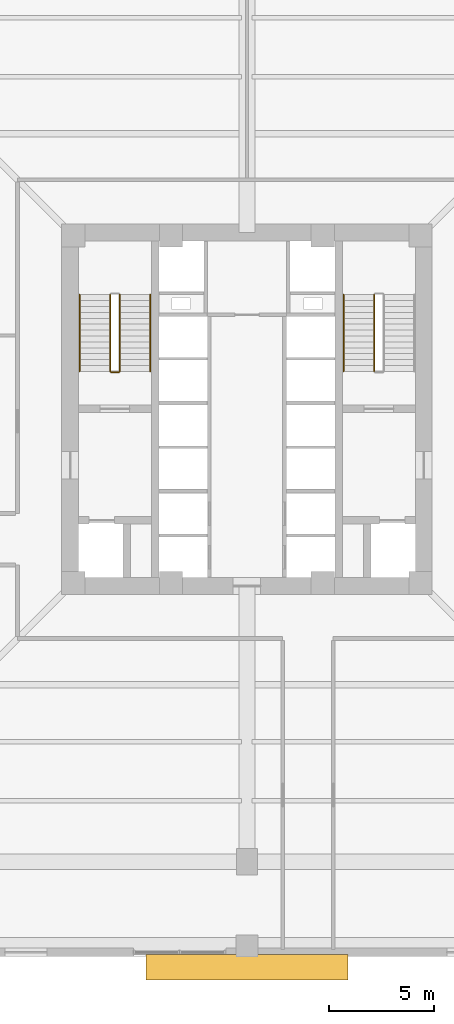
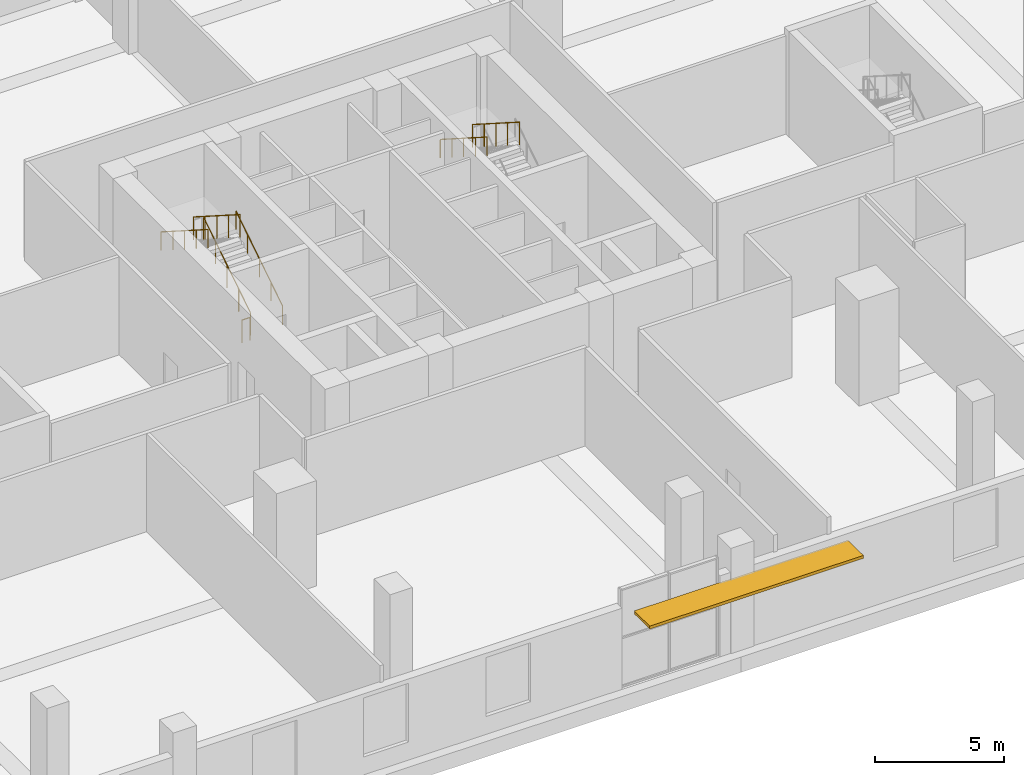
# One storey, part 13 of 17: 7 railings, 1 shading device.
"""IFC4 building model written with IfcOpenShell, lengths in metres."""

from ifc_helpers import new_model, si_unit, direction, frame, origin, origin_2d, place, context, subcontext, project, spatial, rectangle, circle, extrude, source, transform, mapped, material, layer, layer_set, type_object, element, save


model = new_model("IFC4")

# Units and contexts
model_context = context("Model", 3, precision=1e-05, world=origin(), true_north=direction((0.0, 1.0)))
body_context = subcontext(model_context, "Body", "Model", "MODEL_VIEW")
ifc_project = project(units=[si_unit("LENGTHUNIT", "METRE"), si_unit("AREAUNIT", "SQUARE_METRE"), si_unit("VOLUMEUNIT", "CUBIC_METRE"), si_unit("PLANEANGLEUNIT", "RADIAN"), si_unit("MASSUNIT", "GRAM", prefix="KILO"), si_unit("THERMODYNAMICTEMPERATUREUNIT", "KELVIN")], contexts=[model_context])

# Site, building, storey
site_placement = place(None, origin())
site = spatial("IfcSite", under=ifc_project, at=site_placement, CompositionType="ELEMENT")
building_placement = place(site_placement, origin())
building = spatial("IfcBuilding", under=site, at=building_placement, Name="Kosmvard Interchange Tower", CompositionType="ELEMENT")
storey_placement = place(building_placement, frame((0.0, 0.0, 6.0)))
storey = spatial("IfcBuildingStorey", under=building, at=storey_placement, Name="L01", CompositionType="ELEMENT", Elevation=6.0)

# Shading device
ifc_material_1 = material(Name="Solar bronze aluminium", Category="aluminium")
ifc_layer = layer(ifc_material_1, 0.139892578125, Name="Solar bronze aluminium")
ifc_layer_set = layer_set([ifc_layer], Name="Solar bronze aluminium")
shading_device_type = type_object("IfcShadingDeviceType", Name="Podium Entrance Horizontal Brise-Soleil Sunshade 1200", PredefinedType="USERDEFINED", material=ifc_layer_set)
shared_shape_1 = source(origin(), body_context, "Body", "SweptSolid", [
    extrude(rectangle(XDim=9.60009765625, YDim=1.199951171875, at=origin_2d()), origin(), (0.0, 0.0, 1.0), 0.139892578125),
])
shading_device_placement = place(storey_placement, frame((0.0, -26.52001953125, 3.330078125), z_axis=(0.0, 0.0, 1.0), x_axis=(1.0, 0.0, 0.0)))
element("IfcShadingDevice", 1, at=shading_device_placement, inside=storey, type_object=shading_device_type, Name="L01 Horizontal Brise-Soleil Sunshade S", ObjectType="SUNSHADE", PredefinedType="USERDEFINED", context=body_context, shape_type="MappedRepresentation", body=[
    mapped(shared_shape_1, transform((0.0, 0.0, 0.0), scale=1.0)),
])

# Railings
ifc_material_2 = material(Name="Steel S355", Category="steel")
railing_type_1 = type_object("IfcRailingType", Name="Stair & Terrace Safety Guardrail 1100 Steel", PredefinedType="GUARDRAIL", material=ifc_material_2)
shared_shape_2 = source(origin(), body_context, "Body", "SweptSolid", [
    extrude(circle(Radius=0.02392578125, at=origin_2d()), frame((0.0, 0.0, 1.076171875), z_axis=(-1.0, 0.0, 0.0), x_axis=(0.0, -1.0, 0.0)), (0.0, 0.0, 1.0), 0.35986328125),
    extrude(circle(Radius=0.02099609375, at=origin_2d()), origin(), (0.0, 0.0, 1.0), 1.052001953125),
    extrude(circle(Radius=0.02099609375, at=origin_2d()), frame((-0.35986328125, 0.0, 0.0)), (0.0, 0.0, 1.0), 1.052001953125),
])
railing_1_placement = place(storey_placement, frame((-6.090087890625, 1.75, 0.0)))
element("IfcRailing", 2, at=railing_1_placement, inside=storey, type_object=railing_type_1, Name="L01 ST-1 stair guard 4", PredefinedType="GUARDRAIL", context=body_context, shape_type="MappedRepresentation", body=[
    mapped(shared_shape_2, transform((0.0, 0.0, 0.0), scale=1.0)),
])
shared_shape_3 = source(origin(), body_context, "Body", "SweptSolid", [
    extrude(circle(Radius=0.02392578125, at=origin_2d()), frame((0.0, 0.0, 1.076171875), z_axis=(0.0, 0.843111507901, 0.53773877045), x_axis=(-1.0, 0.0, 0.0)), (0.0, 0.0, 1.0), 4.317138671875),
    extrude(circle(Radius=0.02099609375, at=origin_2d()), origin(), (0.0, 0.0, 1.0), 1.052001953125),
    extrude(circle(Radius=0.02099609375, at=origin_2d()), frame((0.0, 0.909912109375, 0.580322265625)), (0.0, 0.0, 1.0), 1.052001953125),
    extrude(circle(Radius=0.02099609375, at=origin_2d()), frame((0.0, 1.81982421875, 1.16064453125)), (0.0, 0.0, 1.0), 1.052001953125),
    extrude(circle(Radius=0.02099609375, at=origin_2d()), frame((0.0, 2.72998046875, 1.7412109375)), (0.0, 0.0, 1.0), 1.052001953125),
    extrude(circle(Radius=0.02099609375, at=origin_2d()), frame((0.0, 3.639892578125, 2.321533203125)), (0.0, 0.0, 1.0), 1.052001953125),
])
railing_2_placement = place(storey_placement, frame((-6.0400390625, 1.800048828125, 0.178466796875)))
element("IfcRailing", 3, at=railing_2_placement, inside=storey, type_object=railing_type_1, Name="L01 ST-1 stair guard 1", PredefinedType="GUARDRAIL", context=body_context, shape_type="MappedRepresentation", body=[
    mapped(shared_shape_3, transform((0.0, 0.0, 0.0), scale=1.0)),
])
shared_shape_4 = source(origin(), body_context, "Body", "SweptSolid", [
    extrude(circle(Radius=0.02392578125, at=origin_2d()), frame((0.0, 0.0, 1.076171875), z_axis=(0.0, -0.843111507901, 0.53773877045), x_axis=(1.0, 0.0, 0.0)), (0.0, 0.0, 1.0), 4.317138671875),
    extrude(circle(Radius=0.02099609375, at=origin_2d()), origin(), (0.0, 0.0, 1.0), 1.052001953125),
    extrude(circle(Radius=0.02099609375, at=origin_2d()), frame((0.0, -0.909912109375, 0.580322265625)), (0.0, 0.0, 1.0), 1.052001953125),
    extrude(circle(Radius=0.02099609375, at=origin_2d()), frame((0.0, -1.81982421875, 1.16064453125)), (0.0, 0.0, 1.0), 1.052001953125),
    extrude(circle(Radius=0.02099609375, at=origin_2d()), frame((0.0, -2.72998046875, 1.7412109375)), (0.0, 0.0, 1.0), 1.052001953125),
    extrude(circle(Radius=0.02099609375, at=origin_2d()), frame((0.0, -3.639892578125, 2.321533203125)), (0.0, 0.0, 1.0), 1.052001953125),
])
for number, where, name in (
    (4, (-6.5, 5.43994140625, 2.678466796875), "L01 ST-1 stair guard 3"),
    (5, (6.0400390625, 5.43994140625, 2.678466796875), "L01 ST-2 stair guard 3"),
):
    element("IfcRailing", number, at=place(storey_placement, frame(where)), inside=storey, type_object=railing_type_1, Name=name, PredefinedType="GUARDRAIL", context=body_context, shape_type="MappedRepresentation", body=[
        mapped(shared_shape_4, transform((0.0, 0.0, 0.0), scale=1.0)),
    ])
railing_type_2 = type_object("IfcRailingType", Name="Wall-Mounted Stair Handrail 900 Steel", PredefinedType="HANDRAIL", material=ifc_material_2)
shared_shape_5 = source(origin(), body_context, "Body", "SweptSolid", [
    extrude(circle(Radius=0.02392578125, at=origin_2d()), frame((0.0, 0.0, 0.8759765625), z_axis=(0.0, 0.843111507901, 0.53773877045), x_axis=(-1.0, 0.0, 0.0)), (0.0, 0.0, 1.0), 4.317138671875),
    extrude(circle(Radius=0.02099609375, at=origin_2d()), origin(), (0.0, 0.0, 1.0), 0.851806640625),
    extrude(circle(Radius=0.02099609375, at=origin_2d()), frame((0.0, 0.909912109375, 0.580322265625)), (0.0, 0.0, 1.0), 0.851806640625),
    extrude(circle(Radius=0.02099609375, at=origin_2d()), frame((0.0, 1.81982421875, 1.16064453125)), (0.0, 0.0, 1.0), 0.851806640625),
    extrude(circle(Radius=0.02099609375, at=origin_2d()), frame((0.0, 2.72998046875, 1.7412109375)), (0.0, 0.0, 1.0), 0.851806640625),
    extrude(circle(Radius=0.02099609375, at=origin_2d()), frame((0.0, 3.639892578125, 2.321533203125)), (0.0, 0.0, 1.0), 0.851806640625),
])
railing_3_placement = place(storey_placement, frame((-4.590087890625, 1.800048828125, 0.178466796875)))
element("IfcRailing", 6, at=railing_3_placement, inside=storey, type_object=railing_type_2, Name="L01 ST-1 stair handrail 1", PredefinedType="HANDRAIL", context=body_context, shape_type="MappedRepresentation", body=[
    mapped(shared_shape_5, transform((0.0, 0.0, 0.0), scale=1.0)),
])
shared_shape_6 = source(origin(), body_context, "Body", "SweptSolid", [
    extrude(circle(Radius=0.02392578125, at=origin_2d()), frame((0.0, 0.0, 0.8759765625), z_axis=(0.0, -0.843111507901, 0.53773877045), x_axis=(1.0, 0.0, 0.0)), (0.0, 0.0, 1.0), 4.317138671875),
    extrude(circle(Radius=0.02099609375, at=origin_2d()), origin(), (0.0, 0.0, 1.0), 0.851806640625),
    extrude(circle(Radius=0.02099609375, at=origin_2d()), frame((0.0, -0.909912109375, 0.580322265625)), (0.0, 0.0, 1.0), 0.851806640625),
    extrude(circle(Radius=0.02099609375, at=origin_2d()), frame((0.0, -1.81982421875, 1.16064453125)), (0.0, 0.0, 1.0), 0.851806640625),
    extrude(circle(Radius=0.02099609375, at=origin_2d()), frame((0.0, -2.72998046875, 1.7412109375)), (0.0, 0.0, 1.0), 0.851806640625),
    extrude(circle(Radius=0.02099609375, at=origin_2d()), frame((0.0, -3.639892578125, 2.321533203125)), (0.0, 0.0, 1.0), 0.851806640625),
])
for number, where, name in (
    (7, (-7.949951171875, 5.43994140625, 2.678466796875), "L01 ST-1 stair handrail 2"),
    (8, (4.590087890625, 5.43994140625, 2.678466796875), "L01 ST-2 stair handrail 2"),
):
    element("IfcRailing", number, at=place(storey_placement, frame(where)), inside=storey, type_object=railing_type_2, Name=name, PredefinedType="HANDRAIL", context=body_context, shape_type="MappedRepresentation", body=[
        mapped(shared_shape_6, transform((0.0, 0.0, 0.0), scale=1.0)),
    ])

save(model, "model.ifc")
